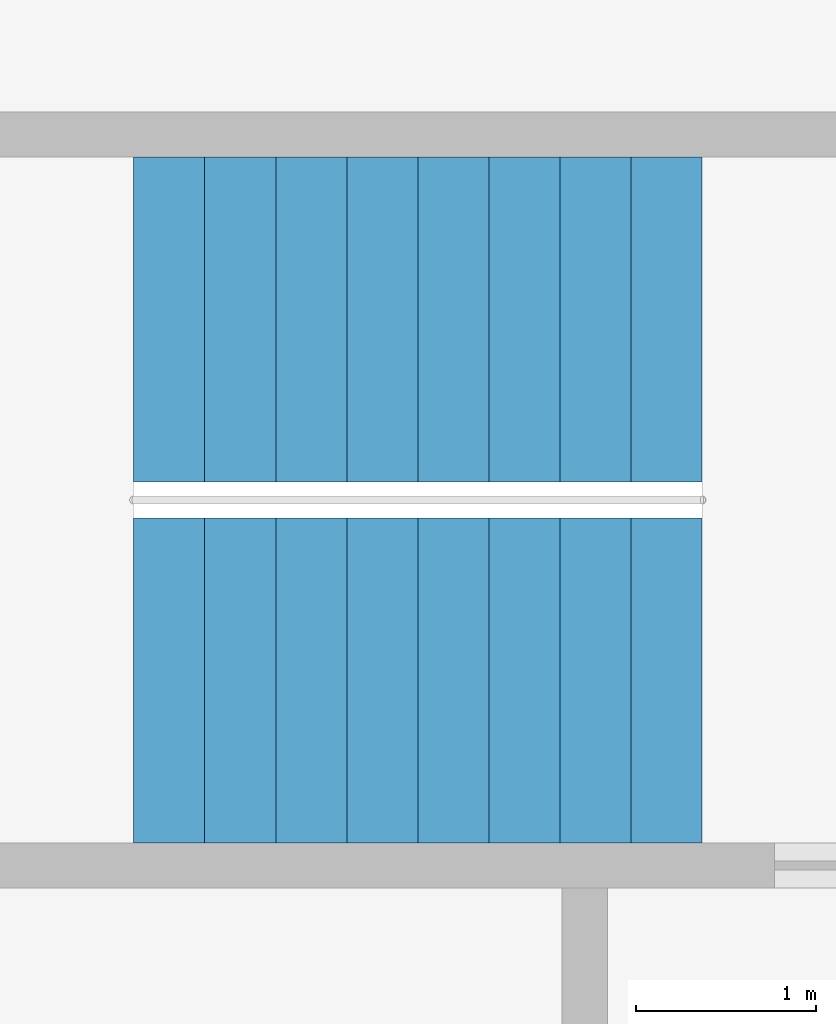
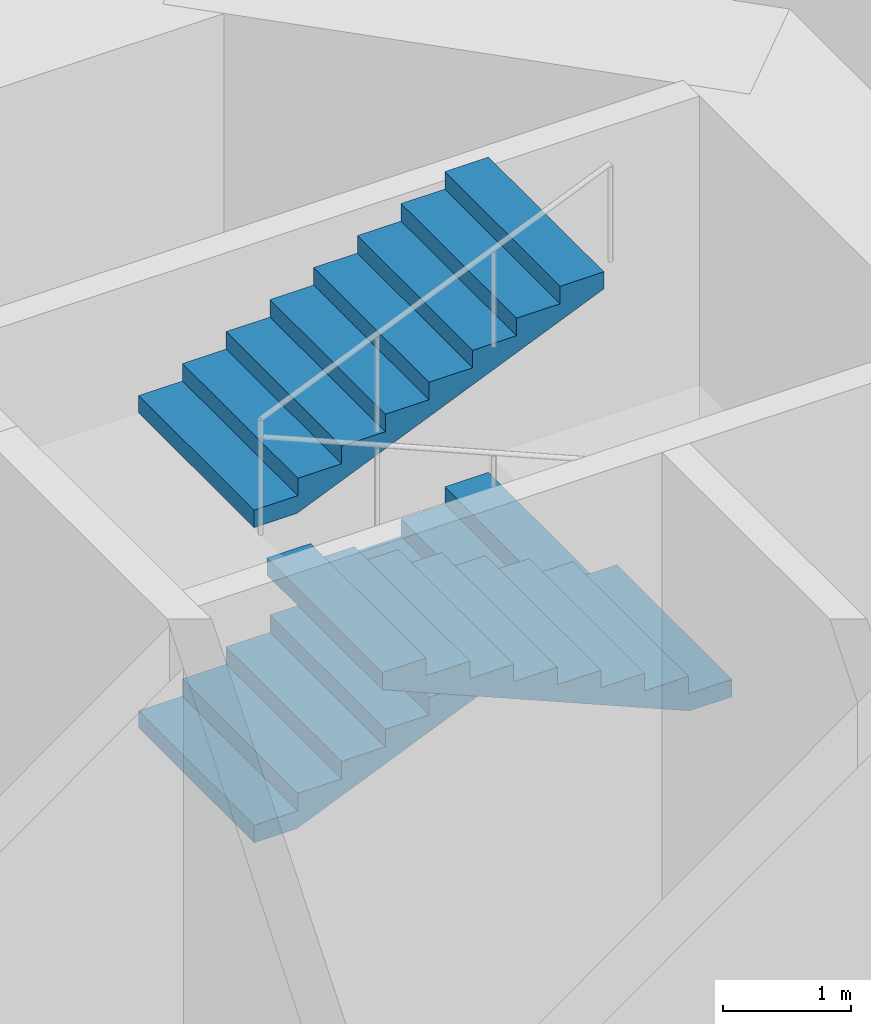
# One storey, part 8 of 12: 3 stair flights, 1 element without a shape of its own.
"""IFC4 building model written with IfcOpenShell, lengths in metres."""

import ifcopenshell
import ifcopenshell.guid

model = None  # the IFC model being written
_history = None  # IfcOwnerHistory: only IFC2X3 demands one
_inside = {}  # id of a spatial element -> (the spatial element, [elements in it])
_under = {}  # id of a project, library or spatial element -> (it, [spatial elements below it])
_declared = {}  # id of a project -> (the project, [libraries it declares])
_typed = {}  # id of a type object -> (the type object, [elements of that type])
_made_of = {}  # id of a material, layer set ... -> (it, [elements and type objects made of it])


def new_model(schema):
    """Start an empty IFC model of exactly this schema.

    Asked for "IFC4X3", IfcOpenShell would pick the latest addendum, in which some entities
    have other attributes; the version numbers below select the first issue.
    IFC2X3 requires an IfcOwnerHistory on every rooted entity: one is made here for all.
    """
    global model, _history
    if schema == "IFC4X3":
        model = ifcopenshell.file(schema_version=(4, 3, 0, 0))
    else:
        model = ifcopenshell.file(schema=schema)
    _inside.clear()
    _under.clear()
    _declared.clear()
    _typed.clear()
    _made_of.clear()
    _history = None
    if model.schema == "IFC2X3":
        org = make("IfcOrganization", Name="unknown")
        user = make(
            "IfcPersonAndOrganization",
            ThePerson=make("IfcPerson", FamilyName="unknown"),
            TheOrganization=org,
        )
        app = make(
            "IfcApplication",
            ApplicationDeveloper=org,
            Version="unknown",
            ApplicationFullName="unknown",
            ApplicationIdentifier="unknown",
        )
        _history = make(
            "IfcOwnerHistory",
            OwningUser=user,
            OwningApplication=app,
            ChangeAction="ADDED",
            CreationDate=0,
        )
    return model


def make(cls, **values):
    """One entity of the class cls with the attributes given. An attribute that is None is left unset."""
    return model.create_entity(
        cls, **{name: value for name, value in values.items() if value is not None}
    )


def rooted(cls, **values):
    """An entity with a GlobalId (a new one), such as an element, a storey or a relation."""
    return make(cls, GlobalId=ifcopenshell.guid.new(), OwnerHistory=_history, **values)


def si_unit(unit_type, name, prefix=None):
    """IfcSIUnit, for example si_unit("LENGTHUNIT", "METRE", prefix="MILLI")."""
    return make("IfcSIUnit", UnitType=unit_type, Prefix=prefix, Name=name)


def assignment(units):
    """IfcUnitAssignment: the units of a project."""
    return None if units is None else make("IfcUnitAssignment", Units=units)


def point(xyz):
    """IfcCartesianPoint."""
    return None if xyz is None else make("IfcCartesianPoint", Coordinates=xyz)


def direction(xyz):
    """IfcDirection."""
    return None if xyz is None else make("IfcDirection", DirectionRatios=xyz)


def frame(location, z_axis=None, x_axis=None):
    """IfcAxis2Placement3D, a coordinate frame: its origin and axes. An axis left out is left unset."""
    return make(
        "IfcAxis2Placement3D",
        Location=point(location),
        Axis=direction(z_axis),
        RefDirection=direction(x_axis),
    )


def origin():
    """The frame at (0, 0, 0) with its axes left unset."""
    return frame((0.0, 0.0, 0.0))


def place(relative_to, where):
    """IfcLocalPlacement: puts the frame where relative to a parent placement (None: the world)."""
    return make(
        "IfcLocalPlacement", PlacementRelTo=relative_to, RelativePlacement=where
    )


def context(
    kind, dimensions, precision=None, world=None, true_north=None, identifier=None
):
    """IfcGeometricRepresentationContext, for example the 3D "Model" context."""
    return make(
        "IfcGeometricRepresentationContext",
        ContextIdentifier=identifier,
        ContextType=kind,
        CoordinateSpaceDimension=dimensions,
        Precision=precision,
        WorldCoordinateSystem=world,
        TrueNorth=true_north,
    )


def subcontext(parent, identifier, kind, view, scale=None):
    """IfcGeometricRepresentationSubContext, for example "Body" below "Model"."""
    return make(
        "IfcGeometricRepresentationSubContext",
        ContextIdentifier=identifier,
        ContextType=kind,
        ParentContext=parent,
        TargetScale=scale,
        TargetView=view,
    )


def project(units=None, contexts=None):
    """IfcProject with its units and contexts."""
    return rooted(
        "IfcProject",
        Name="project",
        RepresentationContexts=contexts,
        UnitsInContext=assignment(units),
    )


def spatial(cls, under=None, at=None, **own):
    """A site, building, storey or space (cls), placed at a placement, below another one or the project."""
    s = rooted(cls, ObjectPlacement=at, **own)
    if under is not None:
        _under.setdefault(under.id(), (under, []))[1].append(s)
    return s


def polyline(points):
    """IfcPolyline through the points."""
    return make("IfcPolyline", Points=[point(p) for p in points])


def outline(outer, holes=None, kind="AREA"):
    """IfcArbitraryClosedProfileDef: a profile drawn as a closed curve; with holes, ...WithVoids."""
    if holes is None:
        return make("IfcArbitraryClosedProfileDef", ProfileType=kind, OuterCurve=outer)
    return make(
        "IfcArbitraryProfileDefWithVoids",
        ProfileType=kind,
        OuterCurve=outer,
        InnerCurves=holes,
    )


def extrude(swept, where, along, depth):
    """IfcExtrudedAreaSolid: the profile swept, set in the frame where, extruded along a direction by depth."""
    return make(
        "IfcExtrudedAreaSolid",
        SweptArea=swept,
        Position=where,
        ExtrudedDirection=direction(along),
        Depth=depth,
    )


def shape(context_of_items, identifier, shape_type, items):
    """IfcShapeRepresentation: the items that make up one representation, for example the "Body"."""
    return make(
        "IfcShapeRepresentation",
        ContextOfItems=context_of_items,
        RepresentationIdentifier=identifier,
        RepresentationType=shape_type,
        Items=items,
    )


def material(Name=None, Category=None):
    """IfcMaterial."""
    return make("IfcMaterial", Name=Name, Category=Category)


def made_of(thing, what):
    """Note that an element or type object is made of a material, layer set ...; save() writes the relation."""
    if what is not None:
        _made_of.setdefault(what.id(), (what, []))[1].append(thing)
    return thing


def type_object(cls, material=None, **own):
    """A type object (cls), such as IfcWallType, which elements share."""
    return made_of(rooted(cls, **own), material)


def element(
    cls,
    number,
    at=None,
    inside=None,
    cuts=None,
    type_object=None,
    material=None,
    context=None,
    identifier="Body",
    shape_type=None,
    held_by="IfcProductDefinitionShape",
    body=None,
    shapes=None,
    **own,
):
    """One element of the class cls, such as IfcWall. Its Tag is "e" and its number.

    at: its placement. inside: the storey or other place that contains it. cuts: it is an
    opening in that element (IfcRelVoidsElement). A single representation is given by context,
    identifier, shape_type and body (its items); several are given by shapes. held_by: the class
    of the entity that holds the representations. save() writes the other relations.
    """
    e = rooted(cls, Tag="e%d" % number, ObjectPlacement=at, **own)
    if body is not None:
        shapes = [shape(context, identifier, shape_type, body)]
    if shapes is not None:
        e.Representation = make(held_by, Representations=shapes)
    if inside is not None:
        _inside.setdefault(inside.id(), (inside, []))[1].append(e)
    if cuts is not None:
        rooted(
            "IfcRelVoidsElement", RelatingBuildingElement=cuts, RelatedOpeningElement=e
        )
    if type_object is not None:
        _typed.setdefault(type_object.id(), (type_object, []))[1].append(e)
    return made_of(e, material)


def aggregate(whole, parts):
    """IfcRelAggregates: a whole, such as a stair, and the parts it consists of."""
    return rooted("IfcRelAggregates", RelatingObject=whole, RelatedObjects=parts)


def save(model, path):
    """Write the relations noted so far, then the file.

    IfcRelAggregates (storeys below a building ...), IfcRelContainedInSpatialStructure (elements
    in a storey), IfcRelDefinesByType, IfcRelAssociatesMaterial and IfcRelDeclares: one each for
    every whole, place, type object, material and project.
    """
    for whole, parts in _under.values():
        aggregate(whole, parts)
    for where, things in _inside.values():
        rooted(
            "IfcRelContainedInSpatialStructure",
            RelatedElements=things,
            RelatingStructure=where,
        )
    for kind, things in _typed.values():
        rooted("IfcRelDefinesByType", RelatedObjects=things, RelatingType=kind)
    for what, things in _made_of.values():
        rooted("IfcRelAssociatesMaterial", RelatedObjects=things, RelatingMaterial=what)
    for by, libraries in _declared.values():
        rooted("IfcRelDeclares", RelatingContext=by, RelatedDefinitions=libraries)
    model.write(path)


model = new_model("IFC4")

# Units and contexts
model_context = context("Model", 3, precision=1e-05, world=origin(), true_north=direction((0.0, 1.0)))
body_context = subcontext(model_context, "Body", "Model", "MODEL_VIEW")
ifc_project = project(units=[si_unit("LENGTHUNIT", "METRE"), si_unit("AREAUNIT", "SQUARE_METRE"), si_unit("VOLUMEUNIT", "CUBIC_METRE"), si_unit("PLANEANGLEUNIT", "RADIAN"), si_unit("MASSUNIT", "GRAM", prefix="KILO")], contexts=[model_context])

# Site, building, storey
site_placement = place(None, origin())
site = spatial("IfcSite", under=ifc_project, at=site_placement, CompositionType="ELEMENT")
building_placement = place(site_placement, origin())
building = spatial("IfcBuilding", under=site, at=building_placement, Name="Marenthal Gate Tower", CompositionType="ELEMENT")
storey_placement = place(building_placement, frame((0.0, 0.0, 149.64990234375)))
storey = spatial("IfcBuildingStorey", under=building, at=storey_placement, Name="L32", CompositionType="ELEMENT", Elevation=149.64990234375)

# Stair, stair flights
ifc_material_1 = material(Name="Concrete 40 MPa", Category="concrete")
stair_type = type_object("IfcStairType", Name="Exit stair 1800", PredefinedType="HALF_TURN_STAIR", material=ifc_material_1)
stair_placement = place(storey_placement, origin())
stair = element("IfcStair", 1, at=stair_placement, inside=storey, type_object=stair_type, Name="Stair ST3", PredefinedType="HALF_TURN_STAIR")
ifc_material_2 = material(Name="Concrete 40 MPa", Category="concrete")
stair_flight_type = type_object("IfcStairFlightType", Name="Stair flight 1800", PredefinedType="STRAIGHT", material=ifc_material_2)
stair_flight_1_placement = place(storey_placement, frame((10.350341796875, 8.675048828125, 1.5), z_axis=(0.0, 0.0, 1.0), x_axis=(1.0, 0.0, 0.0)))
stair_flight_1 = element("IfcStairFlight", 2, at=stair_flight_1_placement, type_object=stair_flight_type, Name="ST3 flight 2", NumberOfRisers=9, NumberOfTreads=8, PredefinedType="STRAIGHT", RiserHeight=0.166666667, TreadLength=0.3937, context=body_context, shape_type="SweptSolid", body=[
    extrude(outline(polyline([(0.0, 0.0), (0.0, 0.166748046875), (0.393798828125, 0.166748046875), (0.393798828125, 0.333251953125), (0.787353515625, 0.333251953125), (0.787353515625, 0.5), (1.18115234375, 0.5), (1.18115234375, 0.666748046875), (1.57470703125, 0.666748046875), (1.57470703125, 0.833251953125), (1.968505859375, 0.833251953125), (1.968505859375, 1.0), (2.3623046875, 1.0), (2.3623046875, 1.166748046875), (2.755859375, 1.166748046875), (2.755859375, 1.333251953125), (3.149658203125, 1.333251953125), (3.149658203125, 1.5), (3.149658203125, 1.170654296875), (0.384521484375, 0.0), (0.0, 0.0)])), frame((0.0, 0.89990234375, 0.0), z_axis=(0.0, -1.0, 0.0), x_axis=(1.0, 0.0, 0.0)), (0.0, 0.0, 1.0), 1.800048828125),
])
stair_flight_2_placement = place(storey_placement, frame((13.5, 6.675048828125, 3.0), z_axis=(0.0, 0.0, 1.0), x_axis=(-1.0, 0.0, 0.0)))
stair_flight_2 = element("IfcStairFlight", 3, at=stair_flight_2_placement, type_object=stair_flight_type, Name="ST3 flight 3", NumberOfRisers=9, NumberOfTreads=8, PredefinedType="STRAIGHT", RiserHeight=0.166666667, TreadLength=0.3937, context=body_context, shape_type="SweptSolid", body=[
    extrude(outline(polyline([(0.0, 0.0), (0.0, 0.166748046875), (0.393798828125, 0.166748046875), (0.393798828125, 0.333251953125), (0.787353515625, 0.333251953125), (0.787353515625, 0.5), (1.18115234375, 0.5), (1.18115234375, 0.666748046875), (1.57470703125, 0.666748046875), (1.57470703125, 0.833251953125), (1.968505859375, 0.833251953125), (1.968505859375, 1.0), (2.3623046875, 1.0), (2.3623046875, 1.166748046875), (2.755859375, 1.166748046875), (2.755859375, 1.333251953125), (3.149658203125, 1.333251953125), (3.149658203125, 1.5), (3.149658203125, 1.170654296875), (0.384521484375, 0.0), (0.0, 0.0)])), frame((0.0, 0.89990234375, 0.0), z_axis=(0.0, -1.0, 0.0), x_axis=(1.0, 0.0, 0.0)), (0.0, 0.0, 1.0), 1.800048828125),
])
stair_flight_3_placement = place(storey_placement, frame((10.350341796875, 8.675048828125, 4.5), z_axis=(0.0, 0.0, 1.0), x_axis=(1.0, 0.0, 0.0)))
stair_flight_3 = element("IfcStairFlight", 4, at=stair_flight_3_placement, type_object=stair_flight_type, Name="ST3 flight 4", NumberOfRisers=9, NumberOfTreads=8, PredefinedType="STRAIGHT", RiserHeight=0.166666667, TreadLength=0.3937, context=body_context, shape_type="SweptSolid", body=[
    extrude(outline(polyline([(0.0, 0.0), (0.0, 0.166748046875), (0.393798828125, 0.166748046875), (0.393798828125, 0.333251953125), (0.787353515625, 0.333251953125), (0.787353515625, 0.5), (1.18115234375, 0.5), (1.18115234375, 0.666748046875), (1.57470703125, 0.666748046875), (1.57470703125, 0.833251953125), (1.968505859375, 0.833251953125), (1.968505859375, 1.0), (2.3623046875, 1.0), (2.3623046875, 1.166748046875), (2.755859375, 1.166748046875), (2.755859375, 1.333251953125), (3.149658203125, 1.333251953125), (3.149658203125, 1.5), (3.149658203125, 1.170654296875), (0.384521484375, 0.0), (0.0, 0.0)])), frame((0.0, 0.89990234375, 0.0), z_axis=(0.0, -1.0, 0.0), x_axis=(1.0, 0.0, 0.0)), (0.0, 0.0, 1.0), 1.800048828125),
])
aggregate(stair, [stair_flight_1, stair_flight_2, stair_flight_3])

save(model, "model.ifc")
